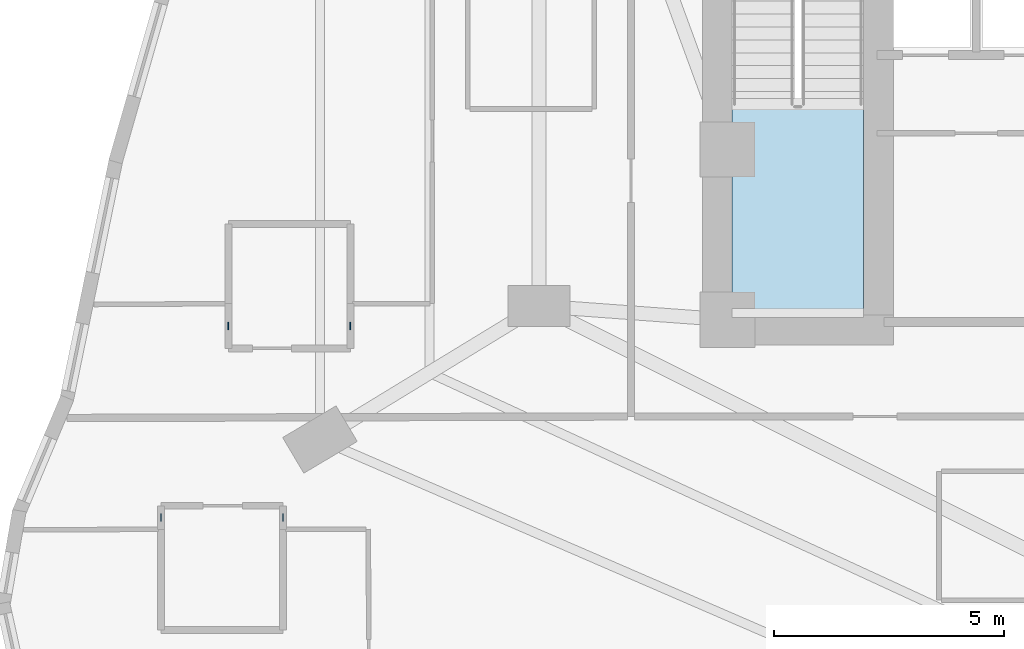
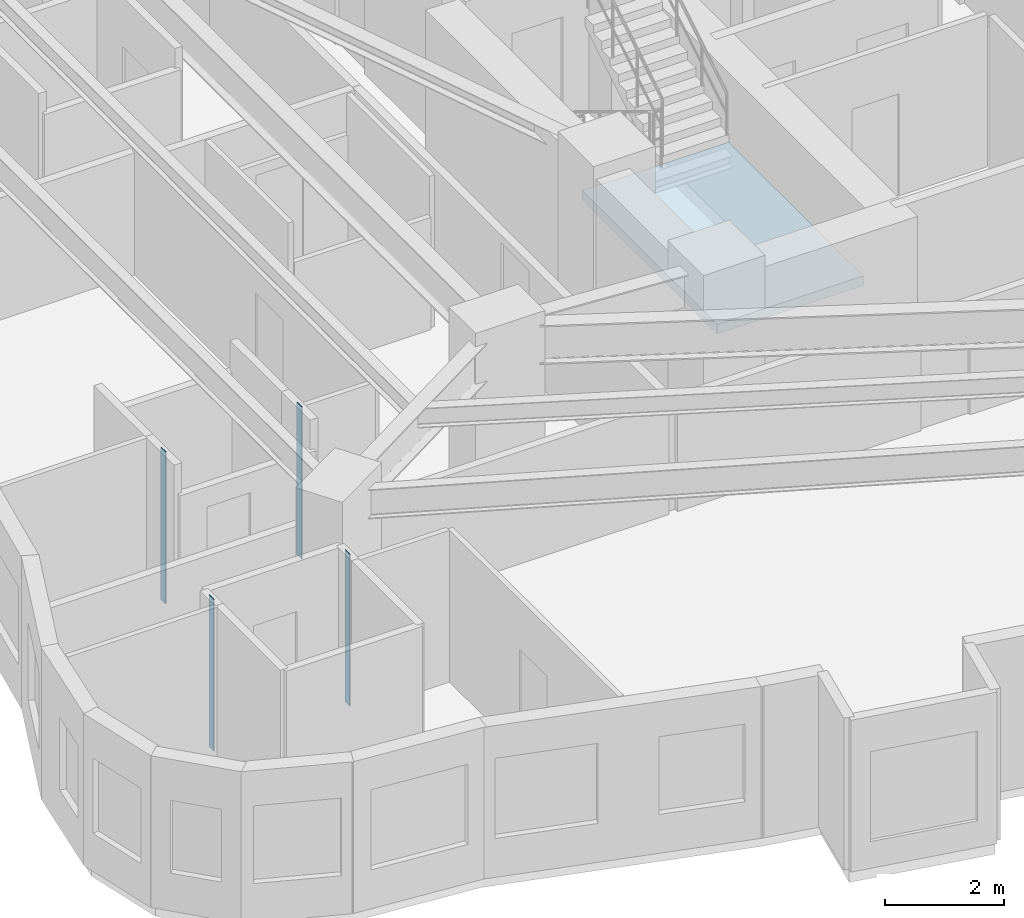
# One storey, part 2 of 13: 4 plates, 1 slab, 1 element without a shape of its own.
"""IFC4 building model written with IfcOpenShell, lengths in metres."""

from ifc_helpers import new_model, si_unit, direction, frame, origin, origin_2d, place, context, subcontext, project, spatial, polyline, rectangle, outline, extrude, material, layer, layer_set, type_object, element, aggregate, save


model = new_model("IFC4")

# Units and contexts
model_context = context("Model", 3, precision=1e-05, world=origin(), true_north=direction((0.0, 1.0)))
body_context = subcontext(model_context, "Body", "Model", "MODEL_VIEW")
ifc_project = project(units=[si_unit("LENGTHUNIT", "METRE"), si_unit("AREAUNIT", "SQUARE_METRE"), si_unit("VOLUMEUNIT", "CUBIC_METRE"), si_unit("PLANEANGLEUNIT", "RADIAN"), si_unit("MASSUNIT", "GRAM", prefix="KILO")], contexts=[model_context])

# Site, building, storey
site_placement = place(None, origin())
site = spatial("IfcSite", under=ifc_project, at=site_placement, CompositionType="ELEMENT")
building_placement = place(site_placement, origin())
building = spatial("IfcBuilding", under=site, at=building_placement, Name="Miruveldt Soraemaru", CompositionType="ELEMENT")
storey_placement = place(building_placement, frame((0.0, 0.0, 73.39990234375)))
storey = spatial("IfcBuildingStorey", under=building, at=storey_placement, Name="L20", CompositionType="ELEMENT", Elevation=73.39990234375)

# Plates
ifc_material_1 = material(Name="Anodised aluminium EN AW-6063 T6", Category="aluminium")
ifc_layer_1 = layer(ifc_material_1, 0.02001953125, Name="Anodised aluminium EN AW-6063 T6", Category="aluminium")
ifc_layer_set_1 = layer_set([ifc_layer_1], Name="Anodised aluminium EN AW-6063 T6")
plate_type = type_object("IfcPlateType", Name="PLT-PART-TRIM", PredefinedType="SHEET", material=ifc_layer_set_1)
for number, where, z_axis, x_axis, name in (
    (1, (27.304931640625, 35.364990234375, 0.0), (0.0, 0.0, 1.0), (0.0, 1.0, 0.0), "L20 Partition Step Corner Trim Plate 041"),
    (2, (24.655029296875, 35.364990234375, 0.0), (0.0, 0.0, 1.0), (0.0, -1.0, 0.0), "L20 Partition Step Corner Trim Plate 042"),
    (3, (25.842041015625, 31.205078125, 0.0), (0.0, 0.0, 1.0), (0.0, 1.0, 0.0), "L20 Partition Step Corner Trim Plate 082"),
    (4, (23.19189453125, 31.205078125, 0.0), (0.0, 0.0, 1.0), (0.0, -1.0, 0.0), "L20 Partition Step Corner Trim Plate 084"),
):
    element("IfcPlate", number, at=place(storey_placement, frame(where, z_axis=z_axis, x_axis=x_axis)), inside=storey, type_object=plate_type, Name=name, PredefinedType="SHEET", context=body_context, shape_type="SweptSolid", body=[
        extrude(rectangle(XDim=0.159912109375, YDim=0.02001953125, at=origin_2d()), origin(), (0.0, 0.0, 1.0), 3.125),
    ])

# Stair, slab
ifc_material_2 = material(Name="Concrete C40/50 (40 MPa)", Category="concrete")
stair_type = type_object("IfcStairType", Name="STAIR-DL-340", PredefinedType="HALF_TURN_STAIR", material=ifc_material_2)
stair_placement = place(storey_placement, origin())
stair = element("IfcStair", 5, at=stair_placement, inside=storey, type_object=stair_type, Name="L20 Protected Exit Stair ST-1", PredefinedType="HALF_TURN_STAIR")
ifc_layer_2 = layer(ifc_material_2, 0.199951171875, Name="Concrete C40/50 (40 MPa)", Category="concrete")
ifc_layer_set_2 = layer_set([ifc_layer_2], Name="Concrete C40/50 (40 MPa)")
slab_type = type_object("IfcSlabType", Name="SLAB-LAND-200", PredefinedType="LANDING", material=ifc_layer_set_2)
slab_placement = place(storey_placement, frame((0.0, 0.0, 1.5)))
slab = element("IfcSlab", 6, at=slab_placement, type_object=slab_type, Name="ST-1 landing 1", PredefinedType="LANDING", context=body_context, shape_type="SweptSolid", body=[
    extrude(outline(polyline([(35.60009765625, 40.197998046875), (35.60009765625, 35.64990234375), (38.449951171875, 35.64990234375), (38.449951171875, 40.197998046875), (35.60009765625, 40.197998046875)])), origin(), (0.0, 0.0, 1.0), 0.2001953125),
])
aggregate(stair, [slab])

save(model, "model.ifc")
